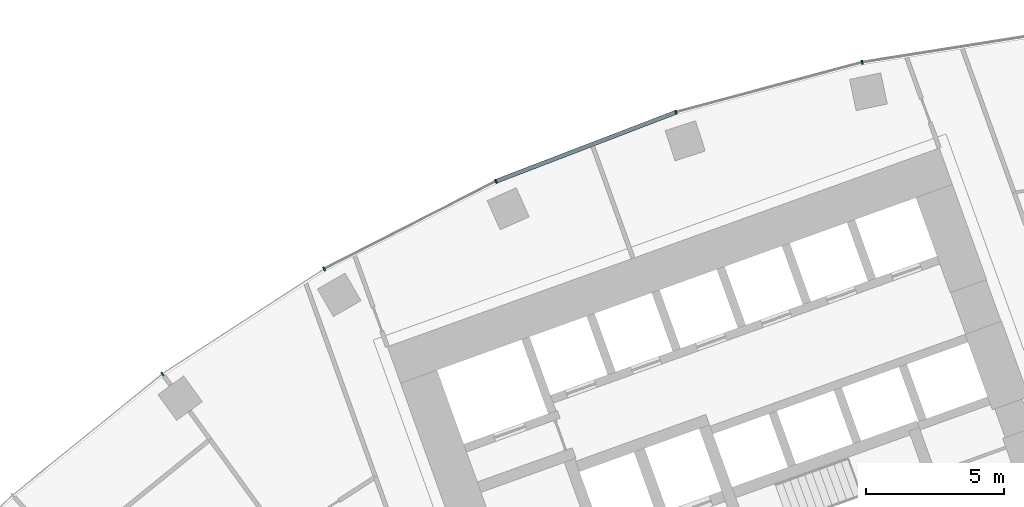
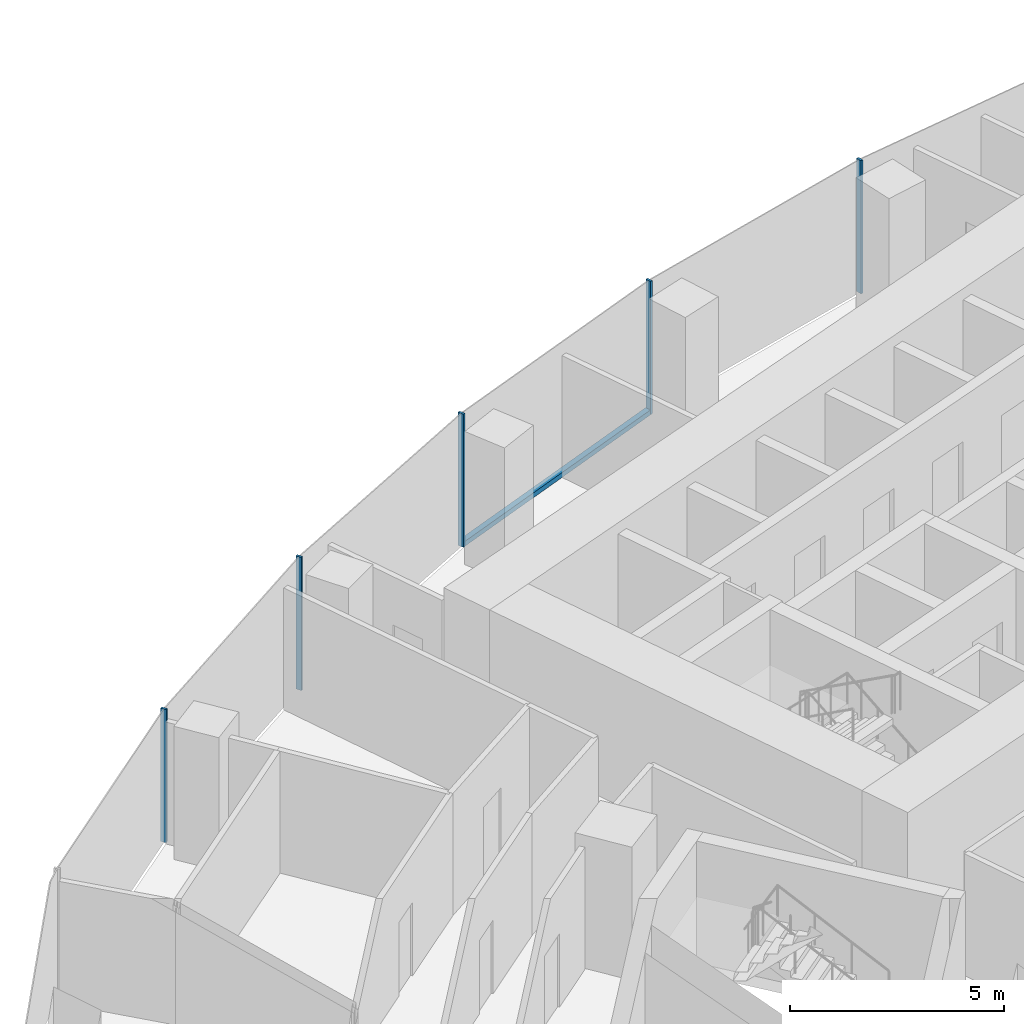
# One storey, part 6 of 21: 6 members, 1 element without a shape of its own.
"""IFC4 building model written with IfcOpenShell, lengths in metres."""

from ifc_helpers import new_model, si_unit, direction, frame, origin, origin_2d, place, context, subcontext, project, spatial, rectangle, extrude, material, layer, layer_set, material_profile, profile_set, type_object, element, aggregate, save


model = new_model("IFC4")

# Units and contexts
model_context = context("Model", 3, precision=1e-05, world=origin(), true_north=direction((0.0, 1.0)))
body_context = subcontext(model_context, "Body", "Model", "MODEL_VIEW")
ifc_project = project(units=[si_unit("LENGTHUNIT", "METRE"), si_unit("AREAUNIT", "SQUARE_METRE"), si_unit("VOLUMEUNIT", "CUBIC_METRE"), si_unit("PLANEANGLEUNIT", "RADIAN"), si_unit("MASSUNIT", "GRAM", prefix="KILO")], contexts=[model_context])

# Site, building, storey
site_placement = place(None, origin())
site = spatial("IfcSite", under=ifc_project, at=site_placement, CompositionType="ELEMENT")
building_placement = place(site_placement, origin())
building = spatial("IfcBuilding", under=site, at=building_placement, Name="Stone Belt Terrace Tower", CompositionType="ELEMENT")
storey_placement = place(building_placement, frame((0.0, 0.0, 90.800048828125)))
storey = spatial("IfcBuildingStorey", under=building, at=storey_placement, Name="L21", CompositionType="ELEMENT", Elevation=90.800048828125)

# Curtain wall, members
ifc_material = material(Name="Aluminium 6063-T6 anodised frame", Category="aluminium")
ifc_layer = layer(ifc_material, 0.14990234375)
ifc_layer_set = layer_set([ifc_layer], Name="CW-A unitised convex-face curtain wall")
curtain_wall_type = type_object("IfcCurtainWallType", Name="CW-A unitised convex-face curtain wall", PredefinedType="NOTDEFINED", material=ifc_layer_set)
curtain_wall_placement = place(storey_placement, origin())
curtain_wall = element("IfcCurtainWall", 1, at=curtain_wall_placement, inside=storey, type_object=curtain_wall_type, Name="CW-A convex face L21", PredefinedType="NOTDEFINED")
ifc_material_profile_1 = material_profile(ifc_material, rectangle(XDim=0.14990234375, YDim=0.06005859375, at=origin_2d()), Name="Aluminium 6063-T6 60x150")
ifc_profile_set_1 = profile_set([ifc_material_profile_1], Name="Aluminium 6063-T6 anodised frame")
member_type_1 = type_object("IfcMemberType", Name="CW-A mullion 60 x 150", PredefinedType="MULLION", material=ifc_profile_set_1)
member_1_placement = place(storey_placement, frame((-13.841796875, 65.120361328125, 0.0), z_axis=(0.0, 0.0, 1.0), x_axis=(0.207911690818, -0.978147600734, 0.0)))
member_1 = element("IfcMember", 2, at=member_1_placement, type_object=member_type_1, Name="CW-A mullion 12", PredefinedType="MULLION", context=body_context, shape_type="SweptSolid", body=[
    extrude(rectangle(XDim=0.14990234375, YDim=0.06005859375, at=origin_2d()), origin(), (0.0, 0.0, 1.0), 3.800048828125),
])
member_2_placement = place(storey_placement, frame((-20.57275390625, 63.316650390625, 0.0), z_axis=(0.0, 0.0, 1.0), x_axis=(0.309016994375, -0.951056516295, 0.0)))
member_2 = element("IfcMember", 3, at=member_2_placement, type_object=member_type_1, Name="CW-A mullion 13", PredefinedType="MULLION", context=body_context, shape_type="SweptSolid", body=[
    extrude(rectangle(XDim=0.14990234375, YDim=0.06005859375, at=origin_2d()), origin(), (0.0, 0.0, 1.0), 3.800048828125),
])
member_3_placement = place(storey_placement, frame((-27.07861328125, 60.8193359375, 0.0), z_axis=(0.0, 0.0, 1.0), x_axis=(0.406736643076, -0.913545457643, 0.0)))
member_3 = element("IfcMember", 4, at=member_3_placement, type_object=member_type_1, Name="CW-A mullion 14", PredefinedType="MULLION", context=body_context, shape_type="SweptSolid", body=[
    extrude(rectangle(XDim=0.14990234375, YDim=0.06005859375, at=origin_2d()), origin(), (0.0, 0.0, 1.0), 3.800048828125),
])
member_4_placement = place(storey_placement, frame((-33.28759765625, 57.65576171875, 0.0), z_axis=(0.0, 0.0, 1.0), x_axis=(0.5, -0.866025403784, 0.0)))
member_4 = element("IfcMember", 5, at=member_4_placement, type_object=member_type_1, Name="CW-A mullion 15", PredefinedType="MULLION", context=body_context, shape_type="SweptSolid", body=[
    extrude(rectangle(XDim=0.14990234375, YDim=0.06005859375, at=origin_2d()), origin(), (0.0, 0.0, 1.0), 3.800048828125),
])
member_5_placement = place(storey_placement, frame((-39.1318359375, 53.8603515625, 0.0), z_axis=(0.0, 0.0, 1.0), x_axis=(0.587785252292, -0.809016994375, 0.0)))
member_5 = element("IfcMember", 6, at=member_5_placement, type_object=member_type_1, Name="CW-A mullion 16", PredefinedType="MULLION", context=body_context, shape_type="SweptSolid", body=[
    extrude(rectangle(XDim=0.14990234375, YDim=0.06005859375, at=origin_2d()), origin(), (0.0, 0.0, 1.0), 3.800048828125),
])
ifc_material_profile_2 = material_profile(ifc_material, rectangle(XDim=0.14990234375, YDim=0.139892578125, at=origin_2d()), Name="Aluminium 6063-T6 150x140")
ifc_profile_set_2 = profile_set([ifc_material_profile_2], Name="Aluminium 6063-T6 anodised frame")
member_type_2 = type_object("IfcMemberType", Name="CW-A transom 140 x 150", PredefinedType="USERDEFINED", material=ifc_profile_set_2)
member_6_placement = place(storey_placement, frame((-20.6044921875, 63.304443359375, 0.070068359375), z_axis=(-0.933585210269, -0.358355487146, 0.0), x_axis=(0.358355487146, -0.933585210269, 0.0)))
member_6 = element("IfcMember", 7, at=member_6_placement, type_object=member_type_2, Name="CW-A transom 13.1", ObjectType="TRANSOM", PredefinedType="USERDEFINED", context=body_context, shape_type="SweptSolid", body=[
    extrude(rectangle(XDim=0.14990234375, YDim=0.139892578125, at=origin_2d()), origin(), (0.0, 0.0, 1.0), 6.900634765625),
])
aggregate(curtain_wall, [member_1, member_2, member_3, member_4, member_5, member_6])

save(model, "model.ifc")
